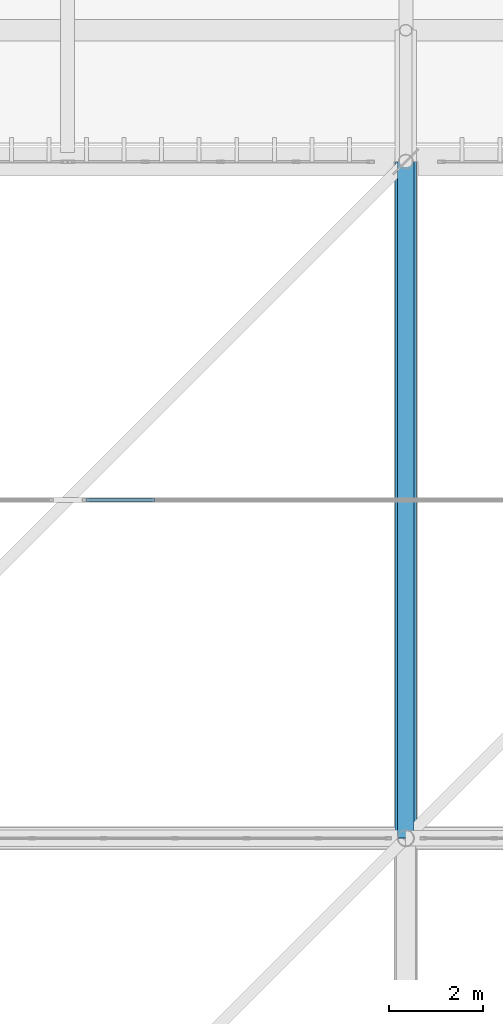
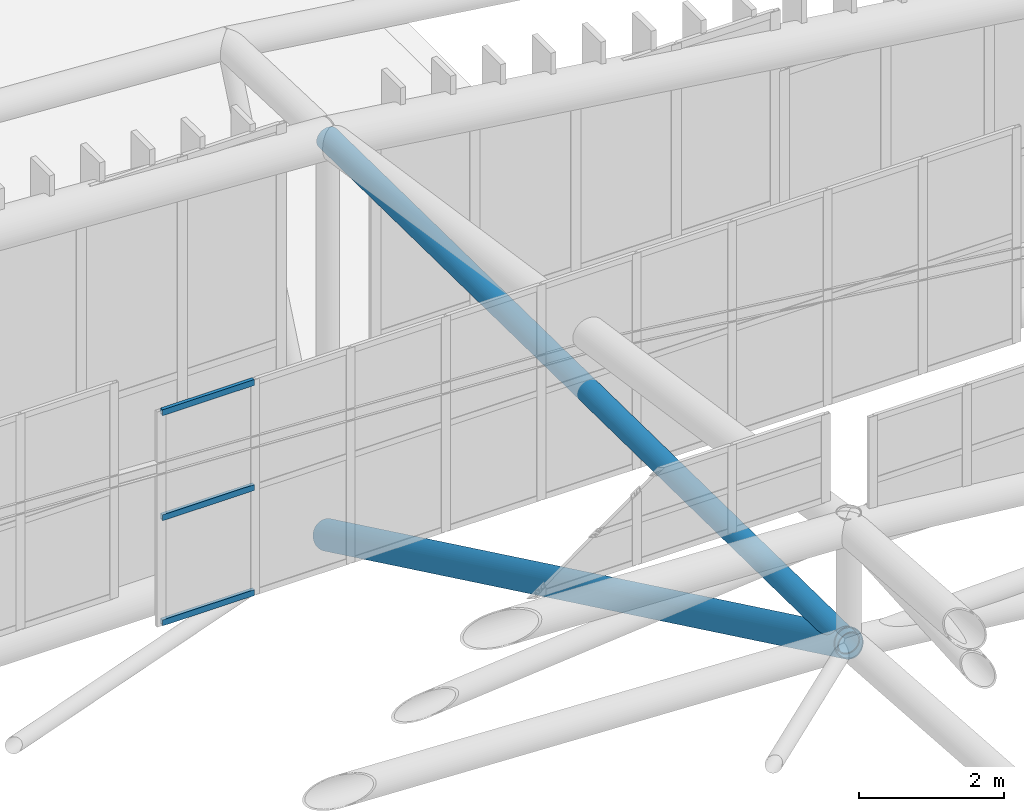
# One storey, part 314 of 397: 4 members, 1 beam, 1 element without a shape of its own.
"""IFC4 building model written with IfcOpenShell, lengths in metres."""

from ifc_helpers import new_model, si_unit, direction, frame, origin, origin_2d, place, context, subcontext, project, spatial, hollow_rectangle, hollow_circle, extrude, material, material_profile, profile_set, type_object, element, aggregate, save


model = new_model("IFC4")

# Units and contexts
model_context = context("Model", 3, precision=1e-05, world=origin(), true_north=direction((0.0, 1.0)))
body_context = subcontext(model_context, "Body", "Model", "MODEL_VIEW")
ifc_project = project(units=[si_unit("LENGTHUNIT", "METRE"), si_unit("AREAUNIT", "SQUARE_METRE"), si_unit("VOLUMEUNIT", "CUBIC_METRE"), si_unit("PLANEANGLEUNIT", "RADIAN"), si_unit("MASSUNIT", "GRAM", prefix="KILO")], contexts=[model_context])

# Site, building, storey
site_placement = place(None, origin())
site = spatial("IfcSite", under=ifc_project, at=site_placement, CompositionType="ELEMENT")
building_placement = place(site_placement, origin())
building = spatial("IfcBuilding", under=site, at=building_placement, Name="Qandorah Velis Arena", CompositionType="ELEMENT")
storey_placement = place(building_placement, frame((0.0, 0.0, 27.5)))
storey = spatial("IfcBuildingStorey", under=building, at=storey_placement, Name="RF", CompositionType="ELEMENT", Elevation=27.5)

# Curtain wall, members
ifc_material_1 = material(Name="Solar-control low-E double glazing", Category="glass")
curtain_wall_type = type_object("IfcCurtainWallType", Name="ARC-CW-SYS05", PredefinedType="USERDEFINED", material=ifc_material_1)
curtain_wall_placement = place(storey_placement, origin())
curtain_wall = element("IfcCurtainWall", 1, at=curtain_wall_placement, inside=storey, type_object=curtain_wall_type, Name="Unitised curtain wall MON-4-5", ObjectType="UNITISED CURTAIN WALL", PredefinedType="USERDEFINED")
ifc_material_2 = material(Name="Champagne-bronze anodized aluminium 6063-T6", Category="aluminium")
ifc_material_profile_1 = material_profile(ifc_material_2, hollow_rectangle(XDim=0.054931640625, YDim=0.10009765625, WallThickness=0.0029296875, at=origin_2d()), Name="ALU TRANSOM 55x100")
ifc_profile_set_1 = profile_set([ifc_material_profile_1], Name="Champagne-bronze anodized aluminium 6063-T6")
member_type_1 = type_object("IfcMemberType", Name="ARC-CWT-100", PredefinedType="USERDEFINED", material=ifc_profile_set_1)
member_1_placement = place(storey_placement, frame((79.593017578125, 108.0, 5.380126953125), z_axis=(1.0, 0.0, 0.0), x_axis=(0.0, 1.0, 0.0)))
member_1 = element("IfcMember", 2, at=member_1_placement, type_object=member_type_1, Name="CW05 transom 1.1", ObjectType="TRANSOM", PredefinedType="USERDEFINED", context=body_context, shape_type="SweptSolid", body=[
    extrude(hollow_rectangle(XDim=0.054931640625, YDim=0.10009765625, WallThickness=0.0029296875, at=origin_2d()), origin(), (0.0, 0.0, 1.0), 1.463623046875),
])
member_2_placement = place(storey_placement, frame((79.593017578125, 108.0, 7.152587890625), z_axis=(1.0, 0.0, 0.0), x_axis=(0.0, 1.0, 0.0)))
member_2 = element("IfcMember", 3, at=member_2_placement, type_object=member_type_1, Name="CW05 transom 1.2", ObjectType="TRANSOM", PredefinedType="USERDEFINED", context=body_context, shape_type="SweptSolid", body=[
    extrude(hollow_rectangle(XDim=0.054931640625, YDim=0.10009765625, WallThickness=0.0029296875, at=origin_2d()), origin(), (0.0, 0.0, 1.0), 1.463623046875),
])
member_3_placement = place(storey_placement, frame((79.593017578125, 108.0, 8.92529296875), z_axis=(1.0, 0.0, 0.0), x_axis=(0.0, 1.0, 0.0)))
member_3 = element("IfcMember", 4, at=member_3_placement, type_object=member_type_1, Name="CW05 transom 1.3", ObjectType="TRANSOM", PredefinedType="USERDEFINED", context=body_context, shape_type="SweptSolid", body=[
    extrude(hollow_rectangle(XDim=0.054931640625, YDim=0.10009765625, WallThickness=0.0029296875, at=origin_2d()), origin(), (0.0, 0.0, 1.0), 1.463623046875),
])
aggregate(curtain_wall, [member_1, member_2, member_3])

# Beam
ifc_material_3 = material(Name="Steel S355", Category="steel")
ifc_material_profile_2 = material_profile(ifc_material_3, hollow_circle(Radius=0.228515625, WallThickness=0.01611328125, at=origin_2d()), Name="CHS 457x16")
ifc_profile_set_2 = profile_set([ifc_material_profile_2], Name="Steel S355")
beam_type = type_object("IfcBeamType", Name="STR-SFC-CHS457X16", PredefinedType="USERDEFINED", material=ifc_profile_set_2)
beam_placement = place(storey_placement, frame((86.39990234375, 100.800048828125, 7.009521484375), z_axis=(0.0, 0.901584827408, -0.432602356659), x_axis=(-1.0, 0.0, 0.0)))
element("IfcBeam", 5, at=beam_placement, inside=storey, type_object=beam_type, Name="Space frame roof truss bottom chord Y 5.6", ObjectType="ROOF TRUSS", PredefinedType="USERDEFINED", context=body_context, shape_type="SweptSolid", body=[
    extrude(hollow_circle(Radius=0.228515625, WallThickness=0.01611328125, at=origin_2d()), origin(), (0.0, 0.0, 1.0), 15.9716796875),
])

# Member
ifc_material_profile_3 = material_profile(ifc_material_3, hollow_circle(Radius=0.177734375, WallThickness=0.01611328125, at=origin_2d()), Name="CHS 355.6x16")
ifc_profile_set_3 = profile_set([ifc_material_profile_3], Name="Steel S355")
member_type_2 = type_object("IfcMemberType", Name="STR-SFD-CHS355X16", PredefinedType="STRUT", material=ifc_profile_set_3)
member_4_placement = place(storey_placement, frame((86.39990234375, 100.800048828125, 7.009521484375), z_axis=(0.0, 0.999893470984, -0.014596118791), x_axis=(-1.0, 0.0, 0.0)))
element("IfcMember", 6, at=member_4_placement, inside=storey, type_object=member_type_2, Name="Space frame roof diagonal Y 5.6", PredefinedType="STRUT", context=body_context, shape_type="SweptSolid", body=[
    extrude(hollow_circle(Radius=0.177734375, WallThickness=0.01611328125, at=origin_2d()), origin(), (0.0, 0.0, 1.0), 14.4013671875),
])

save(model, "model.ifc")
